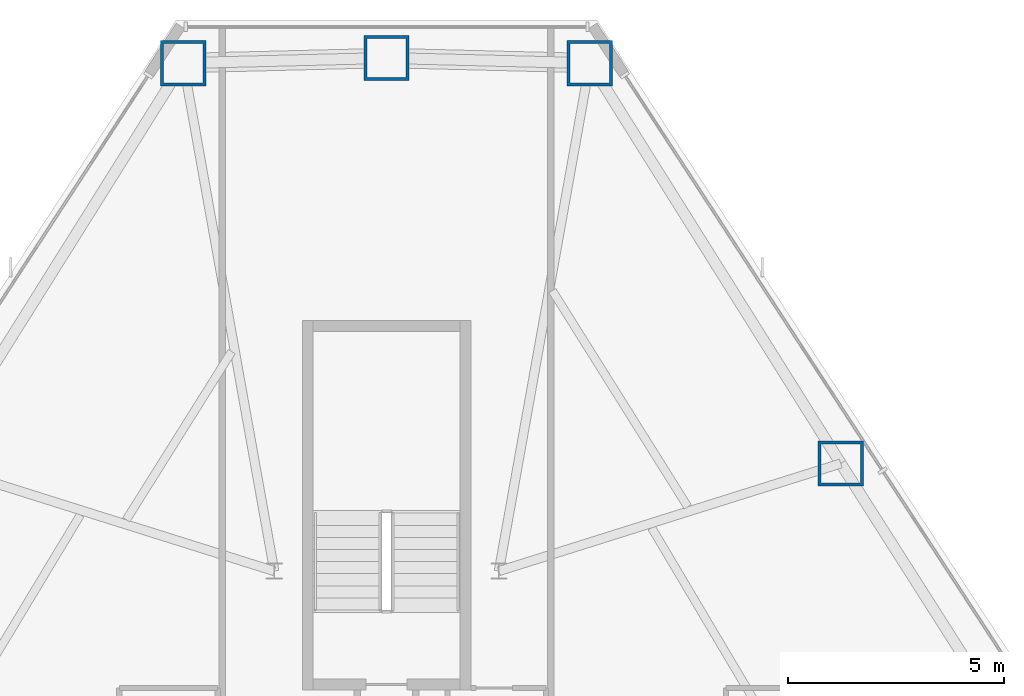
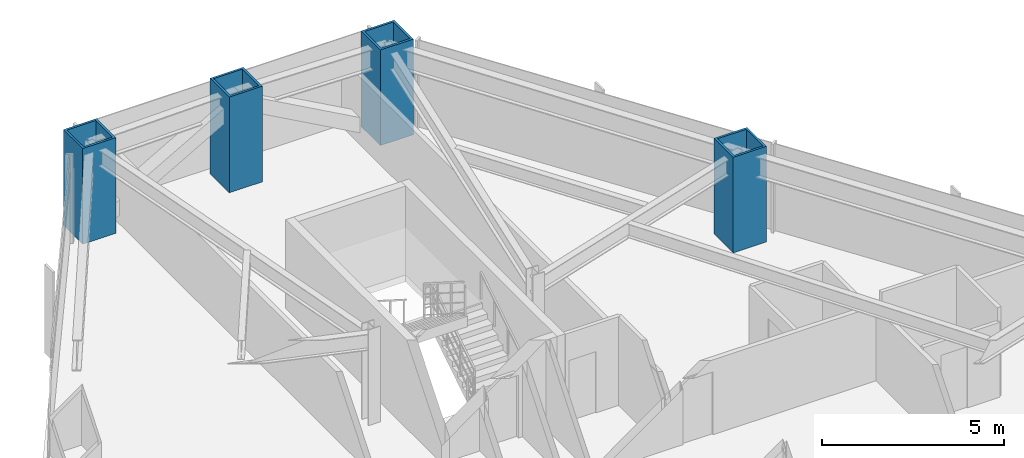
# One storey, part 3 of 12: 4 columns.
"""IFC4 building model written with IfcOpenShell, lengths in metres."""

from ifc_helpers import new_model, si_unit, direction, frame, origin, origin_2d, place, context, subcontext, project, spatial, hollow_rectangle, extrude, material, material_profile, profile_set, type_object, element, save


model = new_model("IFC4")

# Units and contexts
model_context = context("Model", 3, precision=1e-05, world=origin(), true_north=direction((0.0, 1.0)))
body_context = subcontext(model_context, "Body", "Model", "MODEL_VIEW")
ifc_project = project(units=[si_unit("LENGTHUNIT", "METRE"), si_unit("AREAUNIT", "SQUARE_METRE"), si_unit("VOLUMEUNIT", "CUBIC_METRE"), si_unit("PLANEANGLEUNIT", "RADIAN"), si_unit("MASSUNIT", "GRAM", prefix="KILO")], contexts=[model_context])

# Site, building, storey
site_placement = place(None, origin())
site = spatial("IfcSite", under=ifc_project, at=site_placement, CompositionType="ELEMENT")
building_placement = place(site_placement, origin())
building = spatial("IfcBuilding", under=site, at=building_placement, Name="Varakhsha Concourse Tower", CompositionType="ELEMENT")
storey_placement = place(building_placement, frame((0.0, 0.0, 73.39990234375)))
storey = spatial("IfcBuildingStorey", under=building, at=storey_placement, Name="L20", CompositionType="ELEMENT", Elevation=73.39990234375)

# Columns
ifc_material = material(Name="Structural Steel ASTM A572 Grade 50", Category="steel")
ifc_material_profile = material_profile(ifc_material, hollow_rectangle(XDim=1.050048828125, YDim=1.050048828125, WallThickness=0.070068359375, at=origin_2d()), Name="BOX 1050x1050x70")
ifc_profile_set = profile_set([ifc_material_profile], Name="Structural Steel ASTM A572 Grade 50")
column_type = type_object("IfcColumnType", Name="CL-TUBE-1050", PredefinedType="COLUMN", material=ifc_profile_set)
for number, where, z_axis, x_axis, name in (
    (1, (44.7080078125, 52.963623046875, 0.0), (0.0, 0.0, 1.0), (1.0, 0.0, 0.0), "L20 Framed-Tube Column TC01"),
    (2, (40.0, 53.08251953125, 0.0), (0.0, 0.0, 1.0), (1.0, 0.0, 0.0), "L20 Framed-Tube Column TC02"),
    (3, (35.2919921875, 52.963623046875, 0.0), (0.0, 0.0, 1.0), (1.0, 0.0, 0.0), "L20 Framed-Tube Column TC03"),
    (4, (50.518310546875, 43.6923828125, 0.0), (0.0, 0.0, 1.0), (1.0, 0.0, 0.0), "L20 Framed-Tube Column TC18"),
):
    element("IfcColumn", number, at=place(storey_placement, frame(where, z_axis=z_axis, x_axis=x_axis)), inside=storey, type_object=column_type, Name=name, PredefinedType="COLUMN", context=body_context, shape_type="SweptSolid", body=[
        extrude(hollow_rectangle(XDim=1.050048828125, YDim=1.050048828125, WallThickness=0.070068359375, at=origin_2d()), origin(), (0.0, 0.0, 1.0), 3.2001953125),
    ])

save(model, "model.ifc")
